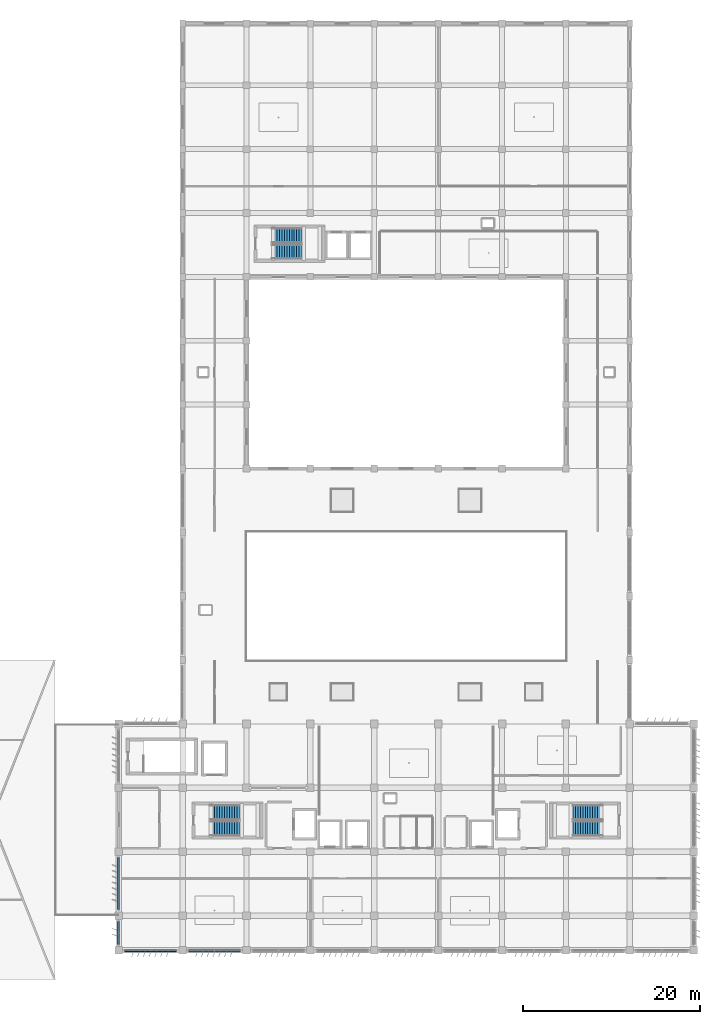
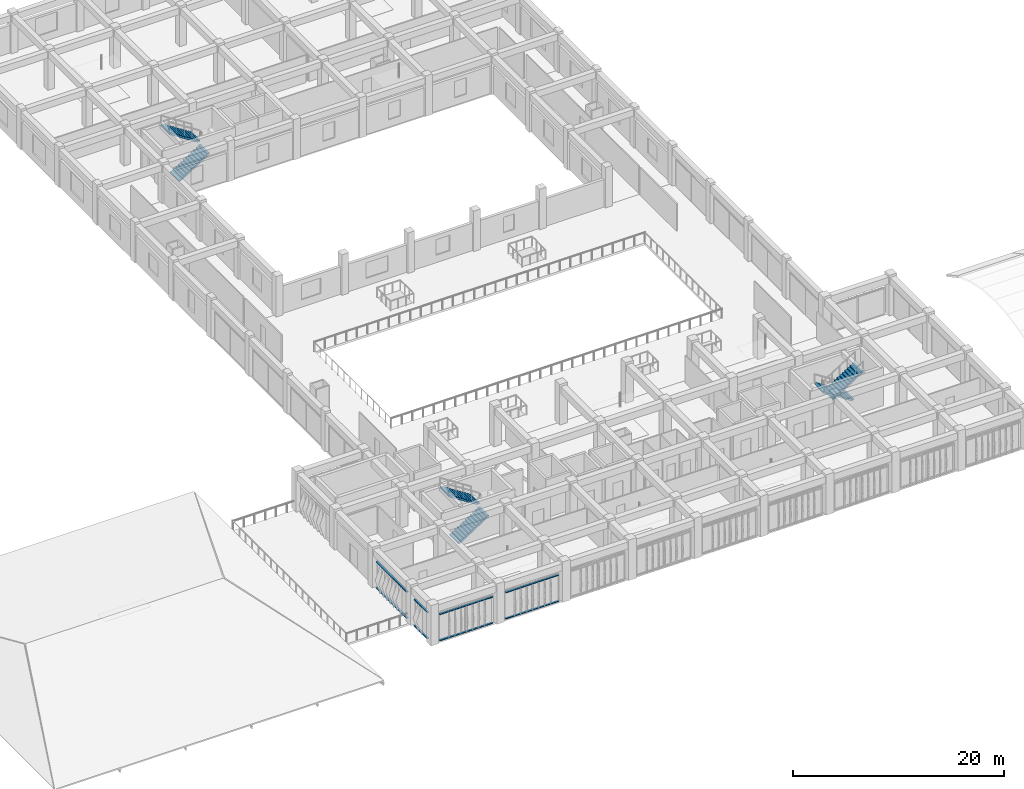
# One storey, part 35 of 55: 8 discrete accessories, 6 stair flights, 3 elements without a shape of their own.
"""IFC4 building model written with IfcOpenShell, lengths in metres."""

from ifc_helpers import new_model, si_unit, direction, frame, origin, origin_2d, place, context, subcontext, project, spatial, polyline, rectangle, outline, extrude, material, type_object, element, aggregate, save


model = new_model("IFC4")

# Units and contexts
model_context = context("Model", 3, precision=1e-05, world=origin(), true_north=direction((0.0, 1.0)))
body_context = subcontext(model_context, "Body", "Model", "MODEL_VIEW")
ifc_project = project(units=[si_unit("LENGTHUNIT", "METRE"), si_unit("AREAUNIT", "SQUARE_METRE"), si_unit("VOLUMEUNIT", "CUBIC_METRE"), si_unit("PLANEANGLEUNIT", "RADIAN"), si_unit("MASSUNIT", "GRAM", prefix="KILO")], contexts=[model_context])

# Site, building, storey
site_placement = place(None, origin())
site = spatial("IfcSite", under=ifc_project, at=site_placement, CompositionType="ELEMENT")
building_placement = place(site_placement, origin())
building = spatial("IfcBuilding", under=site, at=building_placement, Name="Kazehaya Institute of Natural Sciences", CompositionType="ELEMENT")
storey_placement = place(building_placement, frame((0.0, 0.0, 15.1201171875)))
storey = spatial("IfcBuildingStorey", under=building, at=storey_placement, Name="L03", CompositionType="ELEMENT", Elevation=15.1201171875)

# Stair, stair flights
ifc_material_1 = material(Name="Concrete Fc36", Category="concrete")
stair_type = type_object("IfcStairType", Name="STR-DOG-4680", PredefinedType="HALF_TURN_STAIR", material=ifc_material_1)
stair_1_placement = place(storey_placement, origin())
stair_1 = element("IfcStair", 1, at=stair_1_placement, inside=storey, type_object=stair_type, Name="L03 Protected Escape Stair ST-1", PredefinedType="HALF_TURN_STAIR")
stair_flight_type = type_object("IfcStairFlightType", Name="STF-DOG-4680", PredefinedType="STRAIGHT", material=ifc_material_1)
stair_flight_1_placement = place(storey_placement, frame((64.860107421875, 23.830078125, 0.0), z_axis=(0.0, 0.0, 1.0), x_axis=(1.0, 0.0, 0.0)))
stair_flight_1 = element("IfcStairFlight", 2, at=stair_flight_1_placement, type_object=stair_flight_type, Name="ST-1 flight 1", NumberOfRisers=13, NumberOfTreads=12, PredefinedType="STRAIGHT", RiserHeight=0.18, TreadLength=0.28, context=body_context, shape_type="SweptSolid", body=[
    extrude(outline(polyline([(0.0, 0.0), (0.0, 0.179931640625), (0.280029296875, 0.179931640625), (0.280029296875, 0.360107421875), (0.56005859375, 0.360107421875), (0.56005859375, 0.5400390625), (0.840087890625, 0.5400390625), (0.840087890625, 0.719970703125), (1.1201171875, 0.719970703125), (1.1201171875, 0.89990234375), (1.39990234375, 0.89990234375), (1.39990234375, 1.080078125), (1.679931640625, 1.080078125), (1.679931640625, 1.260009765625), (1.9599609375, 1.260009765625), (1.9599609375, 1.43994140625), (2.239990234375, 1.43994140625), (2.239990234375, 1.6201171875), (2.52001953125, 1.6201171875), (2.52001953125, 1.800048828125), (2.800048828125, 1.800048828125), (2.800048828125, 1.97998046875), (3.080078125, 1.97998046875), (3.080078125, 2.159912109375), (3.360107421875, 2.159912109375), (3.360107421875, 2.340087890625), (3.360107421875, 1.981689453125), (0.277099609375, 0.0), (0.0, 0.0)])), frame((0.0, 0.830078125, 0.0), z_axis=(0.0, -1.0, 0.0), x_axis=(1.0, 0.0, 0.0)), (0.0, 0.0, 1.0), 1.659912109375),
])
stair_flight_2_placement = place(storey_placement, frame((68.219970703125, 25.64990234375, 2.33984375), z_axis=(0.0, 0.0, 1.0), x_axis=(-1.0, 0.0, 0.0)))
stair_flight_2 = element("IfcStairFlight", 3, at=stair_flight_2_placement, type_object=stair_flight_type, Name="ST-1 flight 2", NumberOfRisers=13, NumberOfTreads=12, PredefinedType="STRAIGHT", RiserHeight=0.18, TreadLength=0.28, context=body_context, shape_type="SweptSolid", body=[
    extrude(outline(polyline([(0.0, 0.0), (0.0, 0.179931640625), (0.280029296875, 0.179931640625), (0.280029296875, 0.360107421875), (0.56005859375, 0.360107421875), (0.56005859375, 0.5400390625), (0.840087890625, 0.5400390625), (0.840087890625, 0.719970703125), (1.1201171875, 0.719970703125), (1.1201171875, 0.89990234375), (1.39990234375, 0.89990234375), (1.39990234375, 1.080078125), (1.679931640625, 1.080078125), (1.679931640625, 1.260009765625), (1.9599609375, 1.260009765625), (1.9599609375, 1.43994140625), (2.239990234375, 1.43994140625), (2.239990234375, 1.6201171875), (2.52001953125, 1.6201171875), (2.52001953125, 1.800048828125), (2.800048828125, 1.800048828125), (2.800048828125, 1.97998046875), (3.080078125, 1.97998046875), (3.080078125, 2.159912109375), (3.360107421875, 2.159912109375), (3.360107421875, 2.340087890625), (3.360107421875, 1.981689453125), (0.277099609375, 0.0), (0.0, 0.0)])), frame((0.0, 0.830078125, 0.0), z_axis=(0.0, -1.0, 0.0), x_axis=(1.0, 0.0, 0.0)), (0.0, 0.0, 1.0), 1.659912109375),
])
aggregate(stair_1, [stair_flight_1, stair_flight_2])

stair_2_placement = place(storey_placement, origin())
stair_2 = element("IfcStair", 4, at=stair_2_placement, inside=storey, type_object=stair_type, Name="L03 Protected Escape Stair ST-2", PredefinedType="HALF_TURN_STAIR")
stair_flight_3_placement = place(storey_placement, frame((109.139892578125, 25.64990234375, 0.0), z_axis=(0.0, 0.0, 1.0), x_axis=(-1.0, 0.0, 0.0)))
stair_flight_3 = element("IfcStairFlight", 5, at=stair_flight_3_placement, type_object=stair_flight_type, Name="ST-2 flight 1", NumberOfRisers=13, NumberOfTreads=12, PredefinedType="STRAIGHT", RiserHeight=0.18, TreadLength=0.28, context=body_context, shape_type="SweptSolid", body=[
    extrude(outline(polyline([(0.0, 0.0), (0.0, 0.179931640625), (0.280029296875, 0.179931640625), (0.280029296875, 0.360107421875), (0.56005859375, 0.360107421875), (0.56005859375, 0.5400390625), (0.840087890625, 0.5400390625), (0.840087890625, 0.719970703125), (1.1201171875, 0.719970703125), (1.1201171875, 0.89990234375), (1.39990234375, 0.89990234375), (1.39990234375, 1.080078125), (1.679931640625, 1.080078125), (1.679931640625, 1.260009765625), (1.9599609375, 1.260009765625), (1.9599609375, 1.43994140625), (2.239990234375, 1.43994140625), (2.239990234375, 1.6201171875), (2.52001953125, 1.6201171875), (2.52001953125, 1.800048828125), (2.800048828125, 1.800048828125), (2.800048828125, 1.97998046875), (3.080078125, 1.97998046875), (3.080078125, 2.159912109375), (3.360107421875, 2.159912109375), (3.360107421875, 2.340087890625), (3.360107421875, 1.981689453125), (0.277099609375, 0.0), (0.0, 0.0)])), frame((0.0, 0.830078125, 0.0), z_axis=(0.0, -1.0, 0.0), x_axis=(1.0, 0.0, 0.0)), (0.0, 0.0, 1.0), 1.659912109375),
])
stair_flight_4_placement = place(storey_placement, frame((105.780029296875, 23.830078125, 2.33984375), z_axis=(0.0, 0.0, 1.0), x_axis=(1.0, 0.0, 0.0)))
stair_flight_4 = element("IfcStairFlight", 6, at=stair_flight_4_placement, type_object=stair_flight_type, Name="ST-2 flight 2", NumberOfRisers=13, NumberOfTreads=12, PredefinedType="STRAIGHT", RiserHeight=0.18, TreadLength=0.28, context=body_context, shape_type="SweptSolid", body=[
    extrude(outline(polyline([(0.0, 0.0), (0.0, 0.179931640625), (0.280029296875, 0.179931640625), (0.280029296875, 0.360107421875), (0.56005859375, 0.360107421875), (0.56005859375, 0.5400390625), (0.840087890625, 0.5400390625), (0.840087890625, 0.719970703125), (1.1201171875, 0.719970703125), (1.1201171875, 0.89990234375), (1.39990234375, 0.89990234375), (1.39990234375, 1.080078125), (1.679931640625, 1.080078125), (1.679931640625, 1.260009765625), (1.9599609375, 1.260009765625), (1.9599609375, 1.43994140625), (2.239990234375, 1.43994140625), (2.239990234375, 1.6201171875), (2.52001953125, 1.6201171875), (2.52001953125, 1.800048828125), (2.800048828125, 1.800048828125), (2.800048828125, 1.97998046875), (3.080078125, 1.97998046875), (3.080078125, 2.159912109375), (3.360107421875, 2.159912109375), (3.360107421875, 2.340087890625), (3.360107421875, 1.981689453125), (0.277099609375, 0.0), (0.0, 0.0)])), frame((0.0, 0.830078125, 0.0), z_axis=(0.0, -1.0, 0.0), x_axis=(1.0, 0.0, 0.0)), (0.0, 0.0, 1.0), 1.659912109375),
])
aggregate(stair_2, [stair_flight_3, stair_flight_4])

stair_3_placement = place(storey_placement, origin())
stair_3 = element("IfcStair", 7, at=stair_3_placement, inside=storey, type_object=stair_type, Name="L03 Protected Escape Stair ST-3", PredefinedType="HALF_TURN_STAIR")
stair_flight_5_placement = place(storey_placement, frame((71.860107421875, 88.830078125, 0.0), z_axis=(0.0, 0.0, 1.0), x_axis=(1.0, 0.0, 0.0)))
stair_flight_5 = element("IfcStairFlight", 8, at=stair_flight_5_placement, type_object=stair_flight_type, Name="ST-3 flight 1", NumberOfRisers=13, NumberOfTreads=12, PredefinedType="STRAIGHT", RiserHeight=0.18, TreadLength=0.28, context=body_context, shape_type="SweptSolid", body=[
    extrude(outline(polyline([(0.0, 0.0), (0.0, 0.179931640625), (0.280029296875, 0.179931640625), (0.280029296875, 0.360107421875), (0.56005859375, 0.360107421875), (0.56005859375, 0.5400390625), (0.840087890625, 0.5400390625), (0.840087890625, 0.719970703125), (1.1201171875, 0.719970703125), (1.1201171875, 0.89990234375), (1.39990234375, 0.89990234375), (1.39990234375, 1.080078125), (1.679931640625, 1.080078125), (1.679931640625, 1.260009765625), (1.9599609375, 1.260009765625), (1.9599609375, 1.43994140625), (2.239990234375, 1.43994140625), (2.239990234375, 1.6201171875), (2.52001953125, 1.6201171875), (2.52001953125, 1.800048828125), (2.800048828125, 1.800048828125), (2.800048828125, 1.97998046875), (3.080078125, 1.97998046875), (3.080078125, 2.159912109375), (3.360107421875, 2.159912109375), (3.360107421875, 2.340087890625), (3.360107421875, 1.981689453125), (0.277099609375, 0.0), (0.0, 0.0)])), frame((0.0, 0.830078125, 0.0), z_axis=(0.0, -1.0, 0.0), x_axis=(1.0, 0.0, 0.0)), (0.0, 0.0, 1.0), 1.659912109375),
])
stair_flight_6_placement = place(storey_placement, frame((75.219970703125, 90.64990234375, 2.33984375), z_axis=(0.0, 0.0, 1.0), x_axis=(-1.0, 0.0, 0.0)))
stair_flight_6 = element("IfcStairFlight", 9, at=stair_flight_6_placement, type_object=stair_flight_type, Name="ST-3 flight 2", NumberOfRisers=13, NumberOfTreads=12, PredefinedType="STRAIGHT", RiserHeight=0.18, TreadLength=0.28, context=body_context, shape_type="SweptSolid", body=[
    extrude(outline(polyline([(0.0, 0.0), (0.0, 0.179931640625), (0.280029296875, 0.179931640625), (0.280029296875, 0.360107421875), (0.56005859375, 0.360107421875), (0.56005859375, 0.5400390625), (0.840087890625, 0.5400390625), (0.840087890625, 0.719970703125), (1.1201171875, 0.719970703125), (1.1201171875, 0.89990234375), (1.39990234375, 0.89990234375), (1.39990234375, 1.080078125), (1.679931640625, 1.080078125), (1.679931640625, 1.260009765625), (1.9599609375, 1.260009765625), (1.9599609375, 1.43994140625), (2.239990234375, 1.43994140625), (2.239990234375, 1.6201171875), (2.52001953125, 1.6201171875), (2.52001953125, 1.800048828125), (2.800048828125, 1.800048828125), (2.800048828125, 1.97998046875), (3.080078125, 1.97998046875), (3.080078125, 2.159912109375), (3.360107421875, 2.159912109375), (3.360107421875, 2.340087890625), (3.360107421875, 1.981689453125), (0.277099609375, 0.0), (0.0, 0.0)])), frame((0.0, 0.830078125, 0.0), z_axis=(0.0, -1.0, 0.0), x_axis=(1.0, 0.0, 0.0)), (0.0, 0.0, 1.0), 1.659912109375),
])
aggregate(stair_3, [stair_flight_5, stair_flight_6])

# Discrete accessories
ifc_material_2 = material(Name="Aluminium alloy A6063S-T5", Category="aluminium")
discrete_accessory_type = type_object("IfcDiscreteAccessoryType", Name="ACC-BRK-01", PredefinedType="BRACKET", material=ifc_material_2)
for number, where, z_axis, x_axis, name in (
    (10, (65.39990234375, 10.02490234375, 0.039794921875), (0.0, 0.0, 1.0), (-1.0, 0.0, 0.0), "L03 fin support outrigger rail 1"),
    (11, (65.39990234375, 10.02490234375, 3.059814453125), (0.0, 0.0, 1.0), (-1.0, 0.0, 0.0), "L03 fin support outrigger rail 2"),
    (12, (58.199951171875, 10.02490234375, 0.039794921875), (0.0, 0.0, 1.0), (-1.0, 0.0, 0.0), "L03 fin support outrigger rail 1"),
    (13, (58.199951171875, 10.02490234375, 3.059814453125), (0.0, 0.0, 1.0), (-1.0, 0.0, 0.0), "L03 fin support outrigger rail 2"),
):
    element("IfcDiscreteAccessory", number, at=place(storey_placement, frame(where, z_axis=z_axis, x_axis=x_axis)), inside=storey, type_object=discrete_accessory_type, Name=name, PredefinedType="BRACKET", context=body_context, shape_type="SweptSolid", body=[
        extrude(rectangle(XDim=5.800048828125, YDim=0.219970703125, at=origin_2d()), origin(), (0.0, 0.0, 1.0), 0.080078125),
    ])
for number, where, z_axis, x_axis, name in (
    (14, (54.52490234375, 12.050048828125, 0.039794921875), (0.0, 0.0, 1.0), (0.0, 1.0, 0.0), "L03 fin support outrigger rail 1"),
    (15, (54.52490234375, 12.050048828125, 3.059814453125), (0.0, 0.0, 1.0), (0.0, 1.0, 0.0), "L03 fin support outrigger rail 2"),
):
    element("IfcDiscreteAccessory", number, at=place(storey_placement, frame(where, z_axis=z_axis, x_axis=x_axis)), inside=storey, type_object=discrete_accessory_type, Name=name, PredefinedType="BRACKET", context=body_context, shape_type="SweptSolid", body=[
        extrude(rectangle(XDim=2.5, YDim=0.219970703125, at=origin_2d()), origin(), (0.0, 0.0, 1.0), 0.080078125),
    ])
for number, where, z_axis, x_axis, name in (
    (16, (54.52490234375, 17.60009765625, 0.039794921875), (0.0, 0.0, 1.0), (0.0, 1.0, 0.0), "L03 fin support outrigger rail 1"),
    (17, (54.52490234375, 17.60009765625, 3.059814453125), (0.0, 0.0, 1.0), (0.0, 1.0, 0.0), "L03 fin support outrigger rail 2"),
):
    element("IfcDiscreteAccessory", number, at=place(storey_placement, frame(where, z_axis=z_axis, x_axis=x_axis)), inside=storey, type_object=discrete_accessory_type, Name=name, PredefinedType="BRACKET", context=body_context, shape_type="SweptSolid", body=[
        extrude(rectangle(XDim=5.800048828125, YDim=0.219970703125, at=origin_2d()), origin(), (0.0, 0.0, 1.0), 0.080078125),
    ])

save(model, "model.ifc")
